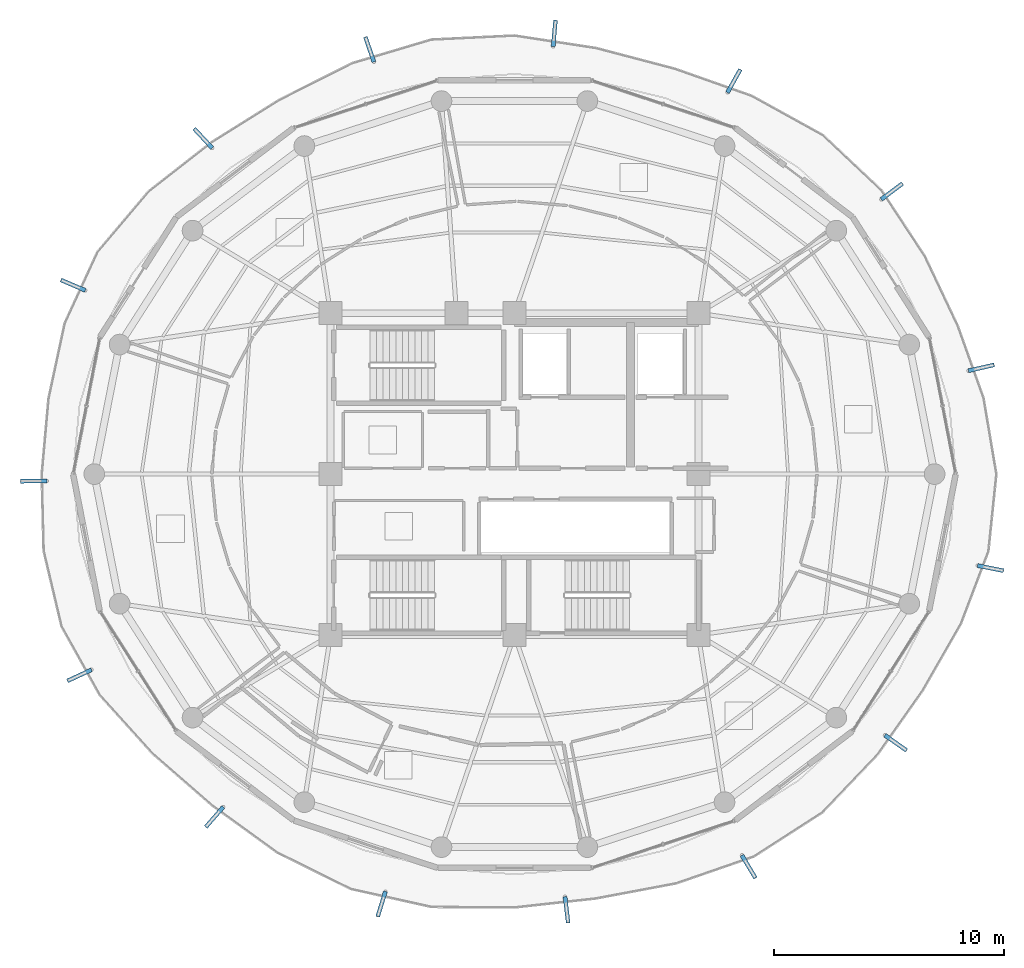
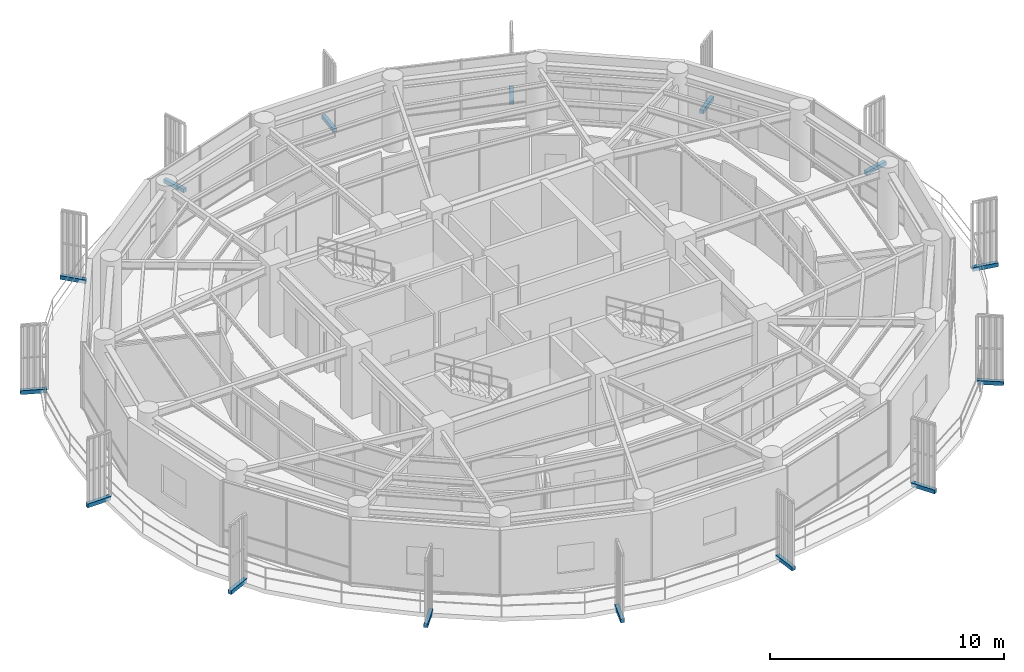
# One storey, part 19 of 23: 15 discrete accessories.
"""IFC4 building model written with IfcOpenShell, lengths in metres."""

from ifc_helpers import new_model, si_unit, direction, frame, origin, origin_2d, place, context, subcontext, project, spatial, rectangle, extrude, source, transform, mapped, material, type_object, element, save


model = new_model("IFC4")

# Units and contexts
model_context = context("Model", 3, precision=1e-05, world=origin(), true_north=direction((0.0, 1.0)))
body_context = subcontext(model_context, "Body", "Model", "MODEL_VIEW")
ifc_project = project(units=[si_unit("LENGTHUNIT", "METRE"), si_unit("AREAUNIT", "SQUARE_METRE"), si_unit("VOLUMEUNIT", "CUBIC_METRE"), si_unit("PLANEANGLEUNIT", "RADIAN"), si_unit("MASSUNIT", "GRAM", prefix="KILO")], contexts=[model_context])

# Site, building, storey
site_placement = place(None, origin())
site = spatial("IfcSite", under=ifc_project, at=site_placement, CompositionType="ELEMENT")
building_placement = place(site_placement, origin())
building = spatial("IfcBuilding", under=site, at=building_placement, Name="Kelanora Arch Commons", CompositionType="ELEMENT")
storey_placement = place(building_placement, frame((0.0, 0.0, 282.449951171875)))
storey = spatial("IfcBuildingStorey", under=building, at=storey_placement, Name="L72", CompositionType="ELEMENT", Elevation=282.449951171875)

# Discrete accessories
ifc_material = material(Name="Stainless steel 316 marine fin bracket", Category="steel")
discrete_accessory_type = type_object("IfcDiscreteAccessoryType", Name="ACC-FIN-BRK", PredefinedType="BRACKET", material=ifc_material)
shared_shape = source(origin(), body_context, "Body", "SweptSolid", [
    extrude(rectangle(XDim=1.152587890625, YDim=0.179931640625, at=origin_2d()), origin(), (0.0, 0.0, 1.0), 0.199951171875),
])
for number, where, z_axis, x_axis, name in (
    (1, (94.71337890625, 53.908447265625, -0.16015625), (0.0, 0.0, 1.0), (0.981056721746, -0.1937206977, 0.0), "Sweeping Fin Cantilever Spine Bracket L72-00"),
    (2, (94.312255859375, 62.62451171875, -0.16015625), (0.0, 0.0, 1.0), (0.975033218117, 0.222059054235, 0.0), "Sweeping Fin Cantilever Spine Bracket L72-01"),
    (3, (90.423095703125, 70.297607421875, -0.16015625), (0.0, 0.0, 1.0), (0.800417613178, 0.599442778349, 0.0), "Sweeping Fin Cantilever Spine Bracket L72-02"),
    (4, (83.548095703125, 75.102294921875, -0.16015625), (0.0, 0.0, 1.0), (0.487402531354, 0.87317740032, 0.0), "Sweeping Fin Cantilever Spine Bracket L72-03"),
    (5, (75.736083984375, 77.173583984375, -0.16015625), (0.0, 0.0, 1.0), (0.090111123946, 0.995931717208, 0.0), "Sweeping Fin Cantilever Spine Bracket L72-04"),
    (6, (67.700927734375, 76.47607421875, -0.16015625), (0.0, 0.0, 1.0), (-0.322761315426, 0.946480392435, 0.0), "Sweeping Fin Cantilever Spine Bracket L72-05"),
    (7, (60.46142578125, 72.60693359375, -0.16015625), (0.0, 0.0, 1.0), (-0.679825391166, 0.733374009306, 0.0), "Sweeping Fin Cantilever Spine Bracket L72-06"),
    (8, (54.8017578125, 66.218017578125, -0.16015625), (0.0, 0.0, 1.0), (-0.919341480754, 0.393460597474, 0.0), "Sweeping Fin Cantilever Spine Bracket L72-07"),
    (9, (53.08544921875, 57.698486328125, -0.16015625), (0.0, 0.0, 1.0), (-0.999895076365, -0.014485726139, 0.0), "Sweeping Fin Cantilever Spine Bracket L72-08"),
    (10, (55.076904296875, 49.245849609375, -0.16015625), (0.0, 0.0, 1.0), (-0.90755772951, -0.419927336103, 0.0), "Sweeping Fin Cantilever Spine Bracket L72-09"),
    (11, (60.95068359375, 43.080078125, -0.16015625), (0.0, 0.0, 1.0), (-0.65829540632, -0.752759694735, 0.0), "Sweeping Fin Cantilever Spine Bracket L72-10"),
    (12, (68.218994140625, 39.29443359375, -0.16015625), (0.0, 0.0, 1.0), (-0.295207826951, -0.955433063541, 0.0), "Sweeping Fin Cantilever Spine Bracket L72-11"),
    (13, (76.269287109375, 39.043212890625, -0.16015625), (0.0, 0.0, 1.0), (0.118923867576, -0.992903375823, 0.0), "Sweeping Fin Cantilever Spine Bracket L72-12"),
    (14, (84.192138671875, 40.920166015625, -0.16015625), (0.0, 0.0, 1.0), (0.512492545011, -0.858691674181, 0.0), "Sweeping Fin Cantilever Spine Bracket L72-13"),
    (15, (90.58837890625, 46.309326171875, -0.16015625), (0.0, 0.0, 1.0), (0.817446605564, -0.576004381105, 0.0), "Sweeping Fin Cantilever Spine Bracket L72-14"),
):
    element("IfcDiscreteAccessory", number, at=place(storey_placement, frame(where, z_axis=z_axis, x_axis=x_axis)), inside=storey, type_object=discrete_accessory_type, Name=name, PredefinedType="BRACKET", context=body_context, shape_type="MappedRepresentation", body=[
        mapped(shared_shape, transform((0.0, 0.0, 0.0), scale=1.0)),
    ])

save(model, "model.ifc")
